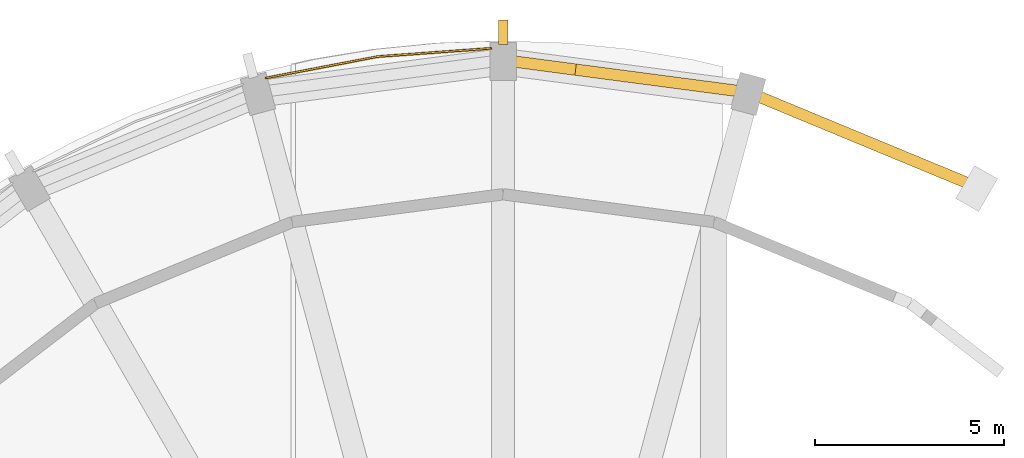
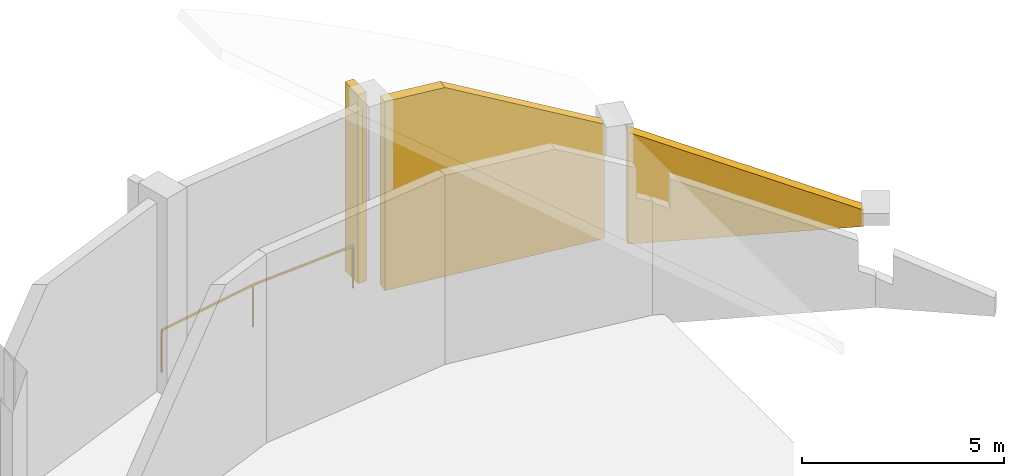
# One storey, part 5 of 5: 2 shading devices, 1 covering, 1 railing.
"""IFC4 building model written with IfcOpenShell, lengths in metres."""

from ifc_helpers import new_model, si_unit, direction, frame, origin, origin_2d, place, context, subcontext, project, spatial, polyline, rectangle, outline, extrude, material, material_profile, profile_set, type_object, element, save


model = new_model("IFC4")

# Units and contexts
model_context = context("Model", 3, precision=1e-05, world=origin(), true_north=direction((0.0, 1.0)))
body_context = subcontext(model_context, "Body", "Model", "MODEL_VIEW")
ifc_project = project(units=[si_unit("LENGTHUNIT", "METRE"), si_unit("AREAUNIT", "SQUARE_METRE"), si_unit("VOLUMEUNIT", "CUBIC_METRE"), si_unit("PLANEANGLEUNIT", "RADIAN"), si_unit("MASSUNIT", "GRAM", prefix="KILO")], contexts=[model_context])

# Site, building, storey
site_placement = place(None, origin())
site = spatial("IfcSite", under=ifc_project, at=site_placement, CompositionType="ELEMENT")
building_placement = place(site_placement, origin())
building = spatial("IfcBuilding", under=site, at=building_placement, Name="Torre Triforio", CompositionType="ELEMENT")
storey_placement = place(building_placement, frame((0.0, 0.0, 296.800048828125)))
storey = spatial("IfcBuildingStorey", under=building, at=storey_placement, Name="RF-2", CompositionType="ELEMENT", Elevation=296.800048828125)

# Railing
ifc_material_1 = material(Name="Stainless steel AISI 316", Category="steel")
railing_type = type_object("IfcRailingType", Name="Loggia guard 1300", PredefinedType="GUARDRAIL", material=ifc_material_1)
railing_placement = place(storey_placement, frame((-0.320068359375, 25.35009765625, 0.0)))
element("IfcRailing", 1, at=railing_placement, inside=storey, type_object=railing_type, Name="Loggia guard RF-2 bay 07", PredefinedType="GUARDRAIL", context=body_context, shape_type="SweptSolid", body=[
    extrude(rectangle(XDim=0.050048828125, YDim=0.050048828125, at=origin_2d()), frame((0.0, 0.0, 1.27490234375), z_axis=(-0.997373634133, -0.072428129451, 0.0), x_axis=(0.072428129451, -0.997373634133, 0.0)), (0.0, 0.0, 1.0), 2.99658203125),
    extrude(rectangle(XDim=0.050048828125, YDim=0.050048828125, at=origin_2d()), frame((-2.98876953125, -0.217041015625, 1.27490234375), z_axis=(-0.98213116955, -0.18819767745, 0.0), x_axis=(0.18819767745, -0.98213116955, 0.0)), (0.0, 0.0, 1.0), 2.99658203125),
    extrude(rectangle(XDim=0.0400390625, YDim=0.0400390625, at=origin_2d()), origin(), (0.0, 0.0, 1.0), 1.25),
    extrude(rectangle(XDim=0.0400390625, YDim=0.0400390625, at=origin_2d()), frame((-2.98876953125, -0.217041015625, 0.0)), (0.0, 0.0, 1.0), 1.25),
    extrude(rectangle(XDim=0.0400390625, YDim=0.0400390625, at=origin_2d()), frame((-5.931884765625, -0.781005859375, 0.0)), (0.0, 0.0, 1.0), 1.25),
])

# Covering
ifc_material_2 = material(Name="Limestone fin", Category="masonry")
ifc_material_profile = material_profile(ifc_material_2, rectangle(XDim=0.64990234375, YDim=0.25, at=origin_2d()), Name="FIN 650x250")
ifc_profile_set = profile_set([ifc_material_profile], Name="Limestone fin")
covering_type = type_object("IfcCoveringType", Name="Stone fin 650 x 250", PredefinedType="CLADDING", material=ifc_profile_set)
covering_placement = place(storey_placement, frame((0.0, 25.77490234375, 0.0), z_axis=(0.0, 0.0, 1.0), x_axis=(0.0, 1.0, 0.0)))
element("IfcCovering", 2, at=covering_placement, inside=storey, type_object=covering_type, Name="Stone fin C07 RF-2", PredefinedType="CLADDING", context=body_context, shape_type="SweptSolid", body=[
    extrude(rectangle(XDim=0.64990234375, YDim=0.25, at=origin_2d()), origin(), (0.0, 0.0, 1.0), 5.719970703125),
])

# Shading devices
shading_device_1_placement = place(storey_placement, frame((6.161376953125, 24.23095703125, 0.0), z_axis=(0.0, 0.0, 1.0), x_axis=(-0.991444419808, 0.130529546201, 0.0)))
element("IfcShadingDevice", 3, at=shading_device_1_placement, inside=storey, Name="Crown louvre screen RF-2 bay 06", PredefinedType="JALOUSIE", context=body_context, shape_type="SweptSolid", body=[
    extrude(outline(polyline([(0.0, 0.0), (5.8916015625, 0.0), (5.891845703125, 5.719970703125), (4.2822265625, 5.719970703125), (0.0, 3.462646484375), (0.0, 0.0)])), frame((0.0, 0.14990234375, 0.0), z_axis=(0.0, -1.0, 0.0), x_axis=(1.0, 0.0, 0.0)), (0.0, 0.0, 1.0), 0.300048828125),
])
shading_device_2_placement = place(storey_placement, frame((12.222900390625, 21.810546875, -0.280029296875), z_axis=(0.0, 0.0, 1.0), x_axis=(-0.923884009374, 0.382672624084, 0.0)))
element("IfcShadingDevice", 4, at=shading_device_2_placement, inside=storey, Name="Crown louvre screen RF-2 bay 05 east", PredefinedType="JALOUSIE", context=body_context, shape_type="SweptSolid", body=[
    extrude(outline(polyline([(0.0, 0.0), (5.891845703125, 0.0), (5.891845703125, 3.393798828125), (0.0, 0.49951171875), (0.0, 0.0)])), frame((0.0, 0.14990234375, 0.0), z_axis=(0.0, -1.0, 0.0), x_axis=(1.0, 0.0, 0.0)), (0.0, 0.0, 1.0), 0.300048828125),
])

save(model, "model.ifc")
